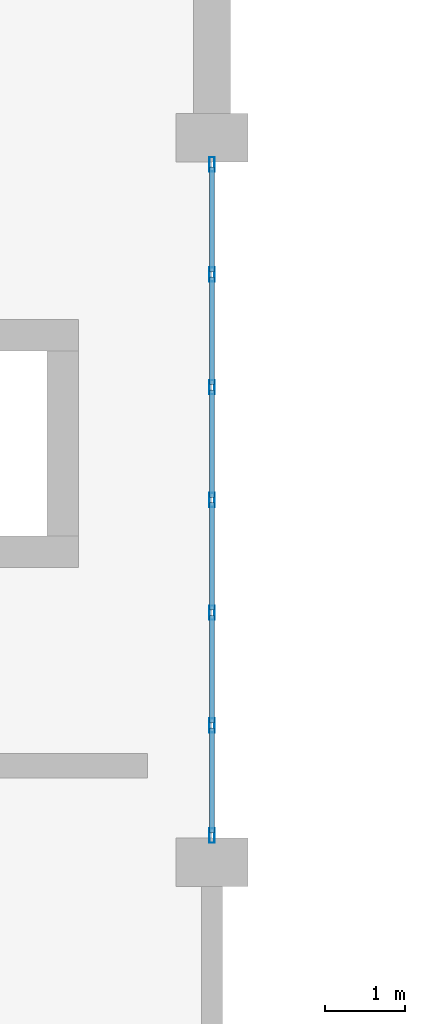
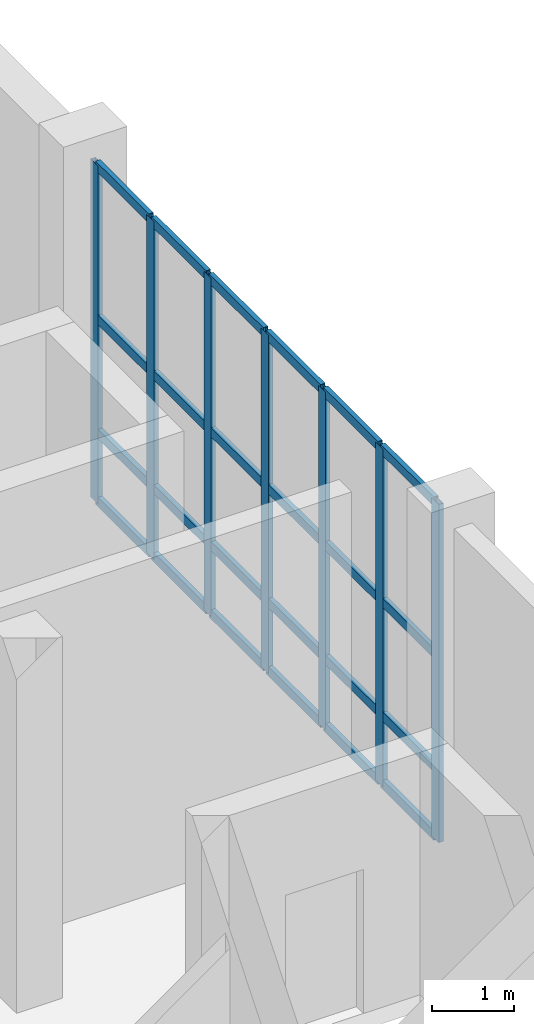
# One storey, part 13 of 41: 31 members, 1 element without a shape of its own.
"""IFC4 building model written with IfcOpenShell, lengths in metres."""

from ifc_helpers import new_model, si_unit, direction, frame, origin, origin_2d, place, context, subcontext, project, spatial, hollow_rectangle, extrude, material, layer, layer_set, material_profile, profile_set, type_object, element, aggregate, save


model = new_model("IFC4")

# Units and contexts
model_context = context("Model", 3, precision=1e-05, world=origin(), true_north=direction((0.0, 1.0)))
body_context = subcontext(model_context, "Body", "Model", "MODEL_VIEW")
ifc_project = project(units=[si_unit("LENGTHUNIT", "METRE"), si_unit("AREAUNIT", "SQUARE_METRE"), si_unit("VOLUMEUNIT", "CUBIC_METRE"), si_unit("PLANEANGLEUNIT", "RADIAN"), si_unit("MASSUNIT", "GRAM", prefix="KILO")], contexts=[model_context])

# Site, building, storey
site_placement = place(None, origin())
site = spatial("IfcSite", under=ifc_project, at=site_placement, CompositionType="ELEMENT")
building_placement = place(site_placement, origin())
building = spatial("IfcBuilding", under=site, at=building_placement, Name="Vaelkrest Opera House", CompositionType="ELEMENT")
storey_placement = place(building_placement, frame((0.0, 0.0, 24.60009765625)))
storey = spatial("IfcBuildingStorey", under=building, at=storey_placement, Name="L05", CompositionType="ELEMENT", Elevation=24.60009765625)

# Curtain wall, members
ifc_material = material(Name="Dark bronze anodized aluminium", Category="aluminium")
ifc_layer = layer(ifc_material, 0.179931640625)
ifc_layer_set = layer_set([ifc_layer], Name="Dark bronze anodized aluminium")
curtain_wall_type = type_object("IfcCurtainWallType", Name="CW01", PredefinedType="NOTDEFINED", material=ifc_layer_set)
curtain_wall_placement = place(storey_placement, origin())
curtain_wall = element("IfcCurtainWall", 1, at=curtain_wall_placement, inside=storey, type_object=curtain_wall_type, Name="Curtain wall CW-L05-079", PredefinedType="NOTDEFINED")
ifc_material_profile_1 = material_profile(ifc_material, hollow_rectangle(XDim=0.06494140625, YDim=0.179931640625, WallThickness=0.00390625, at=origin_2d()), Name="CWM65X180")
ifc_profile_set_1 = profile_set([ifc_material_profile_1], Name="Dark bronze anodized aluminium")
member_type_1 = type_object("IfcMemberType", Name="CWM01", PredefinedType="MULLION", material=ifc_profile_set_1)
member_1_placement = place(storey_placement, frame((30.0, -20.130615234375, 0.0), z_axis=(0.0, 0.0, 1.0), x_axis=(1.0, 0.0, 0.0)))
member_1 = element("IfcMember", 2, at=member_1_placement, type_object=member_type_1, Name="CW01 mullion 1", PredefinedType="MULLION", context=body_context, shape_type="SweptSolid", body=[
    extrude(hollow_rectangle(XDim=0.06494140625, YDim=0.179931640625, WallThickness=0.00390625, at=origin_2d()), origin(), (0.0, 0.0, 1.0), 5.0498046875),
])
member_2_placement = place(storey_placement, frame((30.0, -21.498779296875, 0.0), z_axis=(0.0, 0.0, 1.0), x_axis=(1.0, 0.0, 0.0)))
member_2 = element("IfcMember", 3, at=member_2_placement, type_object=member_type_1, Name="CW01 mullion 2", PredefinedType="MULLION", context=body_context, shape_type="SweptSolid", body=[
    extrude(hollow_rectangle(XDim=0.06494140625, YDim=0.179931640625, WallThickness=0.00390625, at=origin_2d()), origin(), (0.0, 0.0, 1.0), 5.0498046875),
])
member_3_placement = place(storey_placement, frame((30.0, -22.8994140625, 0.0), z_axis=(0.0, 0.0, 1.0), x_axis=(1.0, 0.0, 0.0)))
member_3 = element("IfcMember", 4, at=member_3_placement, type_object=member_type_1, Name="CW01 mullion 3", PredefinedType="MULLION", context=body_context, shape_type="SweptSolid", body=[
    extrude(hollow_rectangle(XDim=0.06494140625, YDim=0.179931640625, WallThickness=0.00390625, at=origin_2d()), origin(), (0.0, 0.0, 1.0), 5.0498046875),
])
member_4_placement = place(storey_placement, frame((30.0, -24.300048828125, 0.0), z_axis=(0.0, 0.0, 1.0), x_axis=(1.0, 0.0, 0.0)))
member_4 = element("IfcMember", 5, at=member_4_placement, type_object=member_type_1, Name="CW01 mullion 4", PredefinedType="MULLION", context=body_context, shape_type="SweptSolid", body=[
    extrude(hollow_rectangle(XDim=0.06494140625, YDim=0.179931640625, WallThickness=0.00390625, at=origin_2d()), origin(), (0.0, 0.0, 1.0), 5.0498046875),
])
member_5_placement = place(storey_placement, frame((30.0, -25.70068359375, 0.0), z_axis=(0.0, 0.0, 1.0), x_axis=(1.0, 0.0, 0.0)))
member_5 = element("IfcMember", 6, at=member_5_placement, type_object=member_type_1, Name="CW01 mullion 5", PredefinedType="MULLION", context=body_context, shape_type="SweptSolid", body=[
    extrude(hollow_rectangle(XDim=0.06494140625, YDim=0.179931640625, WallThickness=0.00390625, at=origin_2d()), origin(), (0.0, 0.0, 1.0), 5.0498046875),
])
member_6_placement = place(storey_placement, frame((30.0, -27.101318359375, 0.0), z_axis=(0.0, 0.0, 1.0), x_axis=(1.0, 0.0, 0.0)))
member_6 = element("IfcMember", 7, at=member_6_placement, type_object=member_type_1, Name="CW01 mullion 6", PredefinedType="MULLION", context=body_context, shape_type="SweptSolid", body=[
    extrude(hollow_rectangle(XDim=0.06494140625, YDim=0.179931640625, WallThickness=0.00390625, at=origin_2d()), origin(), (0.0, 0.0, 1.0), 5.0498046875),
])
member_7_placement = place(storey_placement, frame((30.0, -28.469482421875, 0.0), z_axis=(0.0, 0.0, 1.0), x_axis=(1.0, 0.0, 0.0)))
member_7 = element("IfcMember", 8, at=member_7_placement, type_object=member_type_1, Name="CW01 mullion 7", PredefinedType="MULLION", context=body_context, shape_type="SweptSolid", body=[
    extrude(hollow_rectangle(XDim=0.06494140625, YDim=0.179931640625, WallThickness=0.00390625, at=origin_2d()), origin(), (0.0, 0.0, 1.0), 5.0498046875),
])
ifc_material_profile_2 = material_profile(ifc_material, hollow_rectangle(XDim=0.06494140625, YDim=0.139892578125, WallThickness=0.00390625, at=origin_2d()), Name="CWT65X140")
ifc_profile_set_2 = profile_set([ifc_material_profile_2], Name="Dark bronze anodized aluminium")
member_type_2 = type_object("IfcMemberType", Name="CWT01", PredefinedType="USERDEFINED", material=ifc_profile_set_2)
member_8_placement = place(storey_placement, frame((30.0, -20.1630859375, 0.032470703125), z_axis=(0.0, -1.0, 0.0), x_axis=(1.0, 0.0, 0.0)))
member_8 = element("IfcMember", 9, at=member_8_placement, type_object=member_type_2, Name="CW01 transom 1.1", ObjectType="TRANSOM", PredefinedType="USERDEFINED", context=body_context, shape_type="SweptSolid", body=[
    extrude(hollow_rectangle(XDim=0.06494140625, YDim=0.139892578125, WallThickness=0.00390625, at=origin_2d()), origin(), (0.0, 0.0, 1.0), 1.302978515625),
])
member_9_placement = place(storey_placement, frame((30.0, -20.1630859375, 1.0498046875), z_axis=(0.0, -1.0, 0.0), x_axis=(1.0, 0.0, 0.0)))
member_9 = element("IfcMember", 10, at=member_9_placement, type_object=member_type_2, Name="CW01 transom 1.2", ObjectType="TRANSOM", PredefinedType="USERDEFINED", context=body_context, shape_type="SweptSolid", body=[
    extrude(hollow_rectangle(XDim=0.06494140625, YDim=0.139892578125, WallThickness=0.00390625, at=origin_2d()), origin(), (0.0, 0.0, 1.0), 1.302978515625),
])
member_10_placement = place(storey_placement, frame((30.0, -20.1630859375, 2.75), z_axis=(0.0, -1.0, 0.0), x_axis=(1.0, 0.0, 0.0)))
member_10 = element("IfcMember", 11, at=member_10_placement, type_object=member_type_2, Name="CW01 transom 1.3", ObjectType="TRANSOM", PredefinedType="USERDEFINED", context=body_context, shape_type="SweptSolid", body=[
    extrude(hollow_rectangle(XDim=0.06494140625, YDim=0.139892578125, WallThickness=0.00390625, at=origin_2d()), origin(), (0.0, 0.0, 1.0), 1.302978515625),
])
member_11_placement = place(storey_placement, frame((30.0, -20.1630859375, 5.017333984375), z_axis=(0.0, -1.0, 0.0), x_axis=(1.0, 0.0, 0.0)))
member_11 = element("IfcMember", 12, at=member_11_placement, type_object=member_type_2, Name="CW01 transom 1.4", ObjectType="TRANSOM", PredefinedType="USERDEFINED", context=body_context, shape_type="SweptSolid", body=[
    extrude(hollow_rectangle(XDim=0.06494140625, YDim=0.139892578125, WallThickness=0.00390625, at=origin_2d()), origin(), (0.0, 0.0, 1.0), 1.302978515625),
])
member_12_placement = place(storey_placement, frame((30.0, -21.53125, 0.032470703125), z_axis=(0.0, -1.0, 0.0), x_axis=(1.0, 0.0, 0.0)))
member_12 = element("IfcMember", 13, at=member_12_placement, type_object=member_type_2, Name="CW01 transom 2.1", ObjectType="TRANSOM", PredefinedType="USERDEFINED", context=body_context, shape_type="SweptSolid", body=[
    extrude(hollow_rectangle(XDim=0.06494140625, YDim=0.139892578125, WallThickness=0.00390625, at=origin_2d()), origin(), (0.0, 0.0, 1.0), 1.335693359375),
])
member_13_placement = place(storey_placement, frame((30.0, -21.53125, 1.0498046875), z_axis=(0.0, -1.0, 0.0), x_axis=(1.0, 0.0, 0.0)))
member_13 = element("IfcMember", 14, at=member_13_placement, type_object=member_type_2, Name="CW01 transom 2.2", ObjectType="TRANSOM", PredefinedType="USERDEFINED", context=body_context, shape_type="SweptSolid", body=[
    extrude(hollow_rectangle(XDim=0.06494140625, YDim=0.139892578125, WallThickness=0.00390625, at=origin_2d()), origin(), (0.0, 0.0, 1.0), 1.335693359375),
])
member_14_placement = place(storey_placement, frame((30.0, -21.53125, 2.75), z_axis=(0.0, -1.0, 0.0), x_axis=(1.0, 0.0, 0.0)))
member_14 = element("IfcMember", 15, at=member_14_placement, type_object=member_type_2, Name="CW01 transom 2.3", ObjectType="TRANSOM", PredefinedType="USERDEFINED", context=body_context, shape_type="SweptSolid", body=[
    extrude(hollow_rectangle(XDim=0.06494140625, YDim=0.139892578125, WallThickness=0.00390625, at=origin_2d()), origin(), (0.0, 0.0, 1.0), 1.335693359375),
])
member_15_placement = place(storey_placement, frame((30.0, -21.53125, 5.017333984375), z_axis=(0.0, -1.0, 0.0), x_axis=(1.0, 0.0, 0.0)))
member_15 = element("IfcMember", 16, at=member_15_placement, type_object=member_type_2, Name="CW01 transom 2.4", ObjectType="TRANSOM", PredefinedType="USERDEFINED", context=body_context, shape_type="SweptSolid", body=[
    extrude(hollow_rectangle(XDim=0.06494140625, YDim=0.139892578125, WallThickness=0.00390625, at=origin_2d()), origin(), (0.0, 0.0, 1.0), 1.335693359375),
])
member_16_placement = place(storey_placement, frame((30.0, -22.931884765625, 0.032470703125), z_axis=(0.0, -1.0, 0.0), x_axis=(1.0, 0.0, 0.0)))
member_16 = element("IfcMember", 17, at=member_16_placement, type_object=member_type_2, Name="CW01 transom 3.1", ObjectType="TRANSOM", PredefinedType="USERDEFINED", context=body_context, shape_type="SweptSolid", body=[
    extrude(hollow_rectangle(XDim=0.06494140625, YDim=0.139892578125, WallThickness=0.00390625, at=origin_2d()), origin(), (0.0, 0.0, 1.0), 1.335693359375),
])
member_17_placement = place(storey_placement, frame((30.0, -22.931884765625, 1.0498046875), z_axis=(0.0, -1.0, 0.0), x_axis=(1.0, 0.0, 0.0)))
member_17 = element("IfcMember", 18, at=member_17_placement, type_object=member_type_2, Name="CW01 transom 3.2", ObjectType="TRANSOM", PredefinedType="USERDEFINED", context=body_context, shape_type="SweptSolid", body=[
    extrude(hollow_rectangle(XDim=0.06494140625, YDim=0.139892578125, WallThickness=0.00390625, at=origin_2d()), origin(), (0.0, 0.0, 1.0), 1.335693359375),
])
member_18_placement = place(storey_placement, frame((30.0, -22.931884765625, 2.75), z_axis=(0.0, -1.0, 0.0), x_axis=(1.0, 0.0, 0.0)))
member_18 = element("IfcMember", 19, at=member_18_placement, type_object=member_type_2, Name="CW01 transom 3.3", ObjectType="TRANSOM", PredefinedType="USERDEFINED", context=body_context, shape_type="SweptSolid", body=[
    extrude(hollow_rectangle(XDim=0.06494140625, YDim=0.139892578125, WallThickness=0.00390625, at=origin_2d()), origin(), (0.0, 0.0, 1.0), 1.335693359375),
])
member_19_placement = place(storey_placement, frame((30.0, -22.931884765625, 5.017333984375), z_axis=(0.0, -1.0, 0.0), x_axis=(1.0, 0.0, 0.0)))
member_19 = element("IfcMember", 20, at=member_19_placement, type_object=member_type_2, Name="CW01 transom 3.4", ObjectType="TRANSOM", PredefinedType="USERDEFINED", context=body_context, shape_type="SweptSolid", body=[
    extrude(hollow_rectangle(XDim=0.06494140625, YDim=0.139892578125, WallThickness=0.00390625, at=origin_2d()), origin(), (0.0, 0.0, 1.0), 1.335693359375),
])
member_20_placement = place(storey_placement, frame((30.0, -24.33251953125, 0.032470703125), z_axis=(0.0, -1.0, 0.0), x_axis=(1.0, 0.0, 0.0)))
member_20 = element("IfcMember", 21, at=member_20_placement, type_object=member_type_2, Name="CW01 transom 4.1", ObjectType="TRANSOM", PredefinedType="USERDEFINED", context=body_context, shape_type="SweptSolid", body=[
    extrude(hollow_rectangle(XDim=0.06494140625, YDim=0.139892578125, WallThickness=0.00390625, at=origin_2d()), origin(), (0.0, 0.0, 1.0), 1.335693359375),
])
member_21_placement = place(storey_placement, frame((30.0, -24.33251953125, 1.0498046875), z_axis=(0.0, -1.0, 0.0), x_axis=(1.0, 0.0, 0.0)))
member_21 = element("IfcMember", 22, at=member_21_placement, type_object=member_type_2, Name="CW01 transom 4.2", ObjectType="TRANSOM", PredefinedType="USERDEFINED", context=body_context, shape_type="SweptSolid", body=[
    extrude(hollow_rectangle(XDim=0.06494140625, YDim=0.139892578125, WallThickness=0.00390625, at=origin_2d()), origin(), (0.0, 0.0, 1.0), 1.335693359375),
])
member_22_placement = place(storey_placement, frame((30.0, -24.33251953125, 2.75), z_axis=(0.0, -1.0, 0.0), x_axis=(1.0, 0.0, 0.0)))
member_22 = element("IfcMember", 23, at=member_22_placement, type_object=member_type_2, Name="CW01 transom 4.3", ObjectType="TRANSOM", PredefinedType="USERDEFINED", context=body_context, shape_type="SweptSolid", body=[
    extrude(hollow_rectangle(XDim=0.06494140625, YDim=0.139892578125, WallThickness=0.00390625, at=origin_2d()), origin(), (0.0, 0.0, 1.0), 1.335693359375),
])
member_23_placement = place(storey_placement, frame((30.0, -24.33251953125, 5.017333984375), z_axis=(0.0, -1.0, 0.0), x_axis=(1.0, 0.0, 0.0)))
member_23 = element("IfcMember", 24, at=member_23_placement, type_object=member_type_2, Name="CW01 transom 4.4", ObjectType="TRANSOM", PredefinedType="USERDEFINED", context=body_context, shape_type="SweptSolid", body=[
    extrude(hollow_rectangle(XDim=0.06494140625, YDim=0.139892578125, WallThickness=0.00390625, at=origin_2d()), origin(), (0.0, 0.0, 1.0), 1.335693359375),
])
member_24_placement = place(storey_placement, frame((30.0, -25.733154296875, 0.032470703125), z_axis=(0.0, -1.0, 0.0), x_axis=(1.0, 0.0, 0.0)))
member_24 = element("IfcMember", 25, at=member_24_placement, type_object=member_type_2, Name="CW01 transom 5.1", ObjectType="TRANSOM", PredefinedType="USERDEFINED", context=body_context, shape_type="SweptSolid", body=[
    extrude(hollow_rectangle(XDim=0.06494140625, YDim=0.139892578125, WallThickness=0.00390625, at=origin_2d()), origin(), (0.0, 0.0, 1.0), 1.335693359375),
])
member_25_placement = place(storey_placement, frame((30.0, -25.733154296875, 1.0498046875), z_axis=(0.0, -1.0, 0.0), x_axis=(1.0, 0.0, 0.0)))
member_25 = element("IfcMember", 26, at=member_25_placement, type_object=member_type_2, Name="CW01 transom 5.2", ObjectType="TRANSOM", PredefinedType="USERDEFINED", context=body_context, shape_type="SweptSolid", body=[
    extrude(hollow_rectangle(XDim=0.06494140625, YDim=0.139892578125, WallThickness=0.00390625, at=origin_2d()), origin(), (0.0, 0.0, 1.0), 1.335693359375),
])
member_26_placement = place(storey_placement, frame((30.0, -25.733154296875, 2.75), z_axis=(0.0, -1.0, 0.0), x_axis=(1.0, 0.0, 0.0)))
member_26 = element("IfcMember", 27, at=member_26_placement, type_object=member_type_2, Name="CW01 transom 5.3", ObjectType="TRANSOM", PredefinedType="USERDEFINED", context=body_context, shape_type="SweptSolid", body=[
    extrude(hollow_rectangle(XDim=0.06494140625, YDim=0.139892578125, WallThickness=0.00390625, at=origin_2d()), origin(), (0.0, 0.0, 1.0), 1.335693359375),
])
member_27_placement = place(storey_placement, frame((30.0, -25.733154296875, 5.017333984375), z_axis=(0.0, -1.0, 0.0), x_axis=(1.0, 0.0, 0.0)))
member_27 = element("IfcMember", 28, at=member_27_placement, type_object=member_type_2, Name="CW01 transom 5.4", ObjectType="TRANSOM", PredefinedType="USERDEFINED", context=body_context, shape_type="SweptSolid", body=[
    extrude(hollow_rectangle(XDim=0.06494140625, YDim=0.139892578125, WallThickness=0.00390625, at=origin_2d()), origin(), (0.0, 0.0, 1.0), 1.335693359375),
])
member_28_placement = place(storey_placement, frame((30.0, -27.1337890625, 0.032470703125), z_axis=(0.0, -1.0, 0.0), x_axis=(1.0, 0.0, 0.0)))
member_28 = element("IfcMember", 29, at=member_28_placement, type_object=member_type_2, Name="CW01 transom 6.1", ObjectType="TRANSOM", PredefinedType="USERDEFINED", context=body_context, shape_type="SweptSolid", body=[
    extrude(hollow_rectangle(XDim=0.06494140625, YDim=0.139892578125, WallThickness=0.00390625, at=origin_2d()), origin(), (0.0, 0.0, 1.0), 1.30322265625),
])
member_29_placement = place(storey_placement, frame((30.0, -27.1337890625, 1.0498046875), z_axis=(0.0, -1.0, 0.0), x_axis=(1.0, 0.0, 0.0)))
member_29 = element("IfcMember", 30, at=member_29_placement, type_object=member_type_2, Name="CW01 transom 6.2", ObjectType="TRANSOM", PredefinedType="USERDEFINED", context=body_context, shape_type="SweptSolid", body=[
    extrude(hollow_rectangle(XDim=0.06494140625, YDim=0.139892578125, WallThickness=0.00390625, at=origin_2d()), origin(), (0.0, 0.0, 1.0), 1.30322265625),
])
member_30_placement = place(storey_placement, frame((30.0, -27.1337890625, 2.75), z_axis=(0.0, -1.0, 0.0), x_axis=(1.0, 0.0, 0.0)))
member_30 = element("IfcMember", 31, at=member_30_placement, type_object=member_type_2, Name="CW01 transom 6.3", ObjectType="TRANSOM", PredefinedType="USERDEFINED", context=body_context, shape_type="SweptSolid", body=[
    extrude(hollow_rectangle(XDim=0.06494140625, YDim=0.139892578125, WallThickness=0.00390625, at=origin_2d()), origin(), (0.0, 0.0, 1.0), 1.30322265625),
])
member_31_placement = place(storey_placement, frame((30.0, -27.1337890625, 5.017333984375), z_axis=(0.0, -1.0, 0.0), x_axis=(1.0, 0.0, 0.0)))
member_31 = element("IfcMember", 32, at=member_31_placement, type_object=member_type_2, Name="CW01 transom 6.4", ObjectType="TRANSOM", PredefinedType="USERDEFINED", context=body_context, shape_type="SweptSolid", body=[
    extrude(hollow_rectangle(XDim=0.06494140625, YDim=0.139892578125, WallThickness=0.00390625, at=origin_2d()), origin(), (0.0, 0.0, 1.0), 1.30322265625),
])
aggregate(curtain_wall, [member_1, member_2, member_3, member_4, member_5, member_6, member_7, member_8, member_9, member_10, member_11, member_12, member_13, member_14, member_15, member_16, member_17, member_18, member_19, member_20, member_21, member_22, member_23, member_24, member_25, member_26, member_27, member_28, member_29, member_30, member_31])

save(model, "model.ifc")
